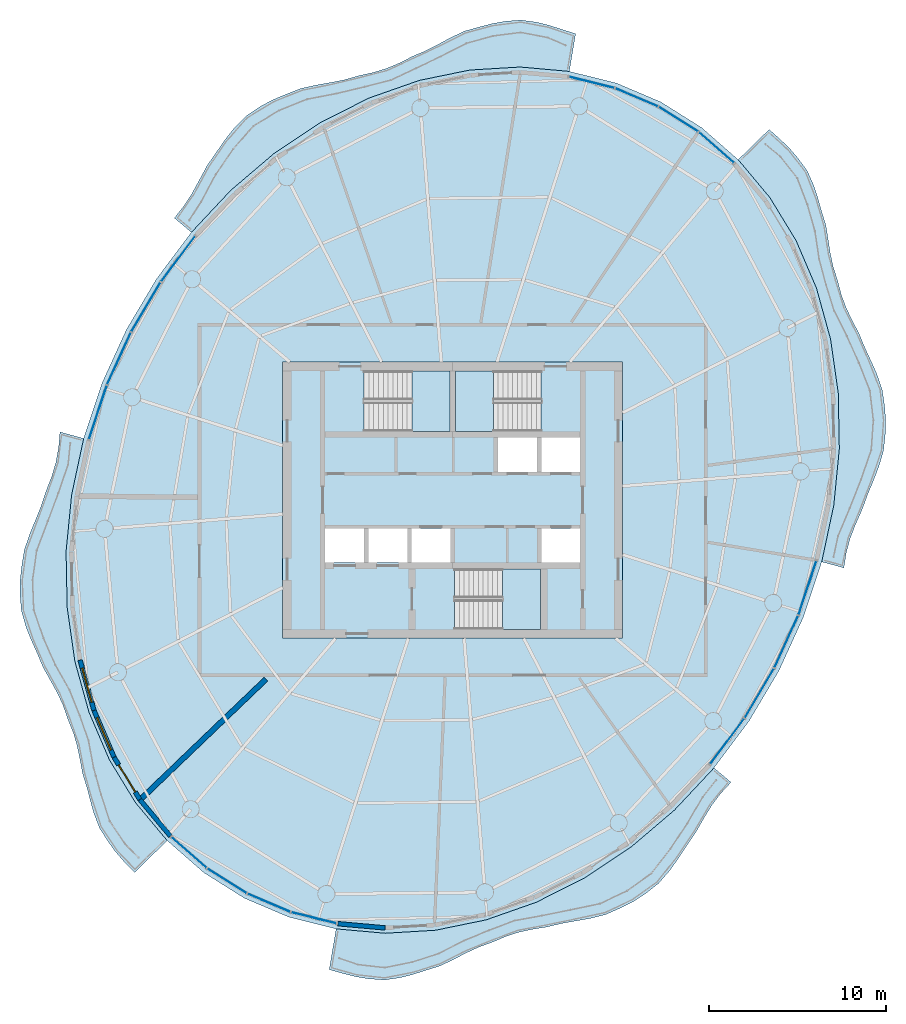
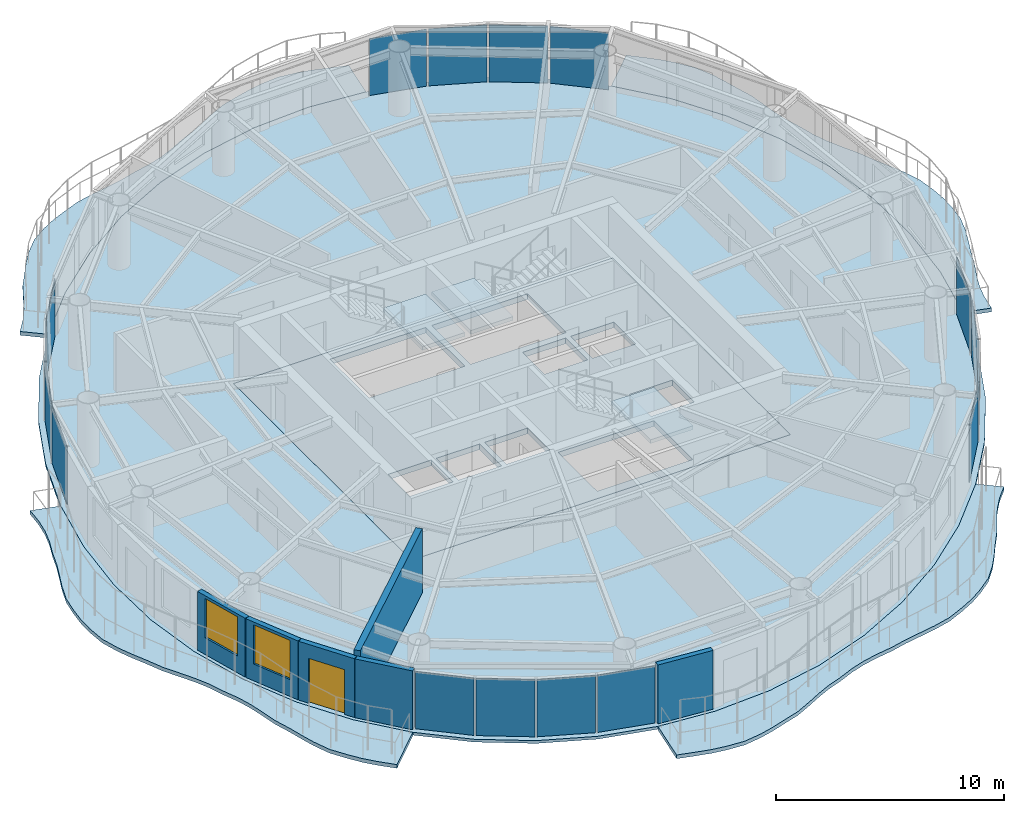
# One storey, part 6 of 13: 16 plates, 9 slabs, 6 walls, 2 windows, 1 door, 3 openings, 19 elements without a shape of their own.
"""IFC4 building model written with IfcOpenShell, lengths in metres."""

from ifc_helpers import new_model, si_unit, direction, frame, frame_2d, origin, origin_2d, place, context, subcontext, project, spatial, polyline, rectangle, outline, extrude, material, layer, layer_set, type_object, element, fill, aggregate, save


model = new_model("IFC4")

# Units and contexts
model_context = context("Model", 3, precision=1e-05, world=origin(), true_north=direction((0.0, 1.0)))
body_context = subcontext(model_context, "Body", "Model", "MODEL_VIEW")
ifc_project = project(units=[si_unit("LENGTHUNIT", "METRE"), si_unit("AREAUNIT", "SQUARE_METRE"), si_unit("VOLUMEUNIT", "CUBIC_METRE"), si_unit("PLANEANGLEUNIT", "RADIAN"), si_unit("MASSUNIT", "GRAM", prefix="KILO")], contexts=[model_context])

# Site, building, storey
site_placement = place(None, origin())
site = spatial("IfcSite", under=ifc_project, at=site_placement, CompositionType="ELEMENT")
building_placement = place(site_placement, origin())
building = spatial("IfcBuilding", under=site, at=building_placement, Name="Vermilion Reach Broadcast Tower", CompositionType="ELEMENT")
storey_placement = place(building_placement, frame((0.0, 0.0, 282.89990234375)))
storey = spatial("IfcBuildingStorey", under=building, at=storey_placement, Name="L70", CompositionType="ELEMENT", Elevation=282.89990234375)

# Slabs
ifc_material_1 = material(Name="Concrete C40/50", Category="concrete")
ifc_layer_1 = layer(ifc_material_1, 0.199951171875)
ifc_layer_set_1 = layer_set([ifc_layer_1], Name="Balcony slab 200")
slab_type_1 = type_object("IfcSlabType", Name="Balcony slab 200", PredefinedType="FLOOR", material=ifc_layer_set_1)
placement_1 = place(storey_placement, frame((0.0, 0.0, -0.199951171875)))
element("IfcSlab", 1, at=placement_1, inside=storey, type_object=slab_type_1, Name="Balcony slab L70 group 1", PredefinedType="FLOOR", context=body_context, shape_type="SweptSolid", body=[
    extrude(outline(polyline([(0.58642578125, 24.21484375), (-2.1904296875, 24.462646484375), (-5.032470703125, 24.291748046875), (-7.89111328125, 23.705322265625), (-10.71728515625, 22.71337890625), (-13.462646484375, 21.33251953125), (-16.08056640625, 19.5869140625), (-18.52587890625, 17.506103515625), (-20.7568359375, 15.125732421875), (-21.72021484375, 15.93408203125), (-21.16943359375, 16.63037109375), (-20.72265625, 17.329345703125), (-20.318603515625, 18.068603515625), (-19.863525390625, 18.909423828125), (-19.3251953125, 19.68408203125), (-18.852294921875, 20.36669921875), (-18.344482421875, 21.0087890625), (-17.672119140625, 21.695556640625), (-16.891845703125, 22.22119140625), (-16.195068359375, 22.59423828125), (-15.45849609375, 22.907470703125), (-14.578857421875, 23.25048828125), (-13.6689453125, 23.452880859375), (-12.87841796875, 23.5908203125), (-12.09765625, 23.748046875), (-11.2578125, 23.985595703125), (-10.4345703125, 24.16845703125), (-9.71826171875, 24.38916015625), (-9.026611328125, 24.6796875), (-8.267822265625, 25.067138671875), (-7.4931640625, 25.39599609375), (-6.819580078125, 25.742431640625), (-6.149169921875, 26.10546875), (-5.3232421875, 26.495361328125), (-4.466064453125, 26.732177734375), (-3.76416015625, 26.916259765625), (-3.05859375, 27.0439453125), (-2.152099609375, 27.118408203125), (-1.264892578125, 26.993896484375), (-0.580078125, 26.8271484375), (0.100341796875, 26.6103515625), (0.943359375, 26.3427734375), (0.58642578125, 24.21484375)])), origin(), (0.0, 0.0, 1.0), 0.199951171875),
])
element("IfcSlab", 2, at=placement_1, inside=storey, type_object=slab_type_1, Name="Balcony slab L70 group 2", PredefinedType="FLOOR", context=body_context, shape_type="SweptSolid", body=[
    extrude(outline(polyline([(-26.84228515625, 3.485107421875), (-27.523681640625, 0.294677734375), (-27.8369140625, -2.90087890625), (-27.7763671875, -6.046875), (-27.34326171875, -9.08935546875), (-26.544921875, -11.97607421875), (-25.39501953125, -14.658203125), (-23.913330078125, -17.08935546875), (-22.125, -19.22802734375), (-23.961181640625, -21.021728515625), (-24.59326171875, -20.38330078125), (-25.050048828125, -19.856689453125), (-25.45751953125, -19.288818359375), (-25.938720703125, -18.541015625), (-26.265869140625, -17.689697265625), (-26.46630859375, -16.978271484375), (-26.652587890625, -16.25830078125), (-26.905517578125, -15.437255859375), (-27.064697265625, -14.580322265625), (-27.217529296875, -13.85205078125), (-27.42529296875, -13.147216796875), (-27.72900390625, -12.3916015625), (-28.0029296875, -11.6025390625), (-28.320068359375, -10.9130859375), (-28.6904296875, -10.23876953125), (-29.127197265625, -9.461181640625), (-29.483154296875, -8.617919921875), (-29.811279296875, -7.888671875), (-30.103759765625, -7.154052734375), (-30.3623046875, -6.2548828125), (-30.43896484375, -5.311279296875), (-30.43115234375, -4.5244140625), (-30.344482421875, -3.73583984375), (-30.19384765625, -2.808349609375), (-29.882568359375, -1.893798828125), (-29.5625, -1.11865234375), (-29.249755859375, -0.3427734375), (-28.96435546875, 0.518310546875), (-28.63818359375, 1.36669921875), (-28.407470703125, 2.1513671875), (-28.261962890625, 2.954345703125), (-28.18310546875, 3.849365234375), (-26.84228515625, 3.485107421875)])), origin(), (0.0, 0.0, 1.0), 0.199951171875),
])
element("IfcSlab", 3, at=placement_1, inside=storey, type_object=slab_type_1, Name="Balcony slab L70 group 3", PredefinedType="FLOOR", context=body_context, shape_type="SweptSolid", body=[
    extrude(outline(polyline([(-12.58642578125, -24.21484375), (-9.8095703125, -24.462646484375), (-6.967529296875, -24.291748046875), (-4.10888671875, -23.705322265625), (-1.28271484375, -22.71337890625), (1.462646484375, -21.33251953125), (4.08056640625, -19.5869140625), (6.52587890625, -17.506103515625), (8.7568359375, -15.125732421875), (9.722412109375, -15.935791015625), (9.121337890625, -16.5849609375), (8.630126953125, -17.24267578125), (8.193359375, -17.951171875), (7.728759765625, -18.76806640625), (7.199462890625, -19.5361328125), (6.7421875, -20.237548828125), (6.263916015625, -20.9140625), (5.63330078125, -21.64404296875), (4.89306640625, -22.22314453125), (4.233154296875, -22.6513671875), (3.52880859375, -23.01318359375), (2.664794921875, -23.398193359375), (1.756103515625, -23.6259765625), (0.96630859375, -23.765625), (0.176513671875, -23.905029296875), (-0.68896484375, -24.111083984375), (-1.5380859375, -24.246826171875), (-2.27490234375, -24.408935546875), (-2.98779296875, -24.638916015625), (-3.759765625, -24.9677734375), (-4.537109375, -25.24853515625), (-5.21728515625, -25.56298828125), (-5.890380859375, -25.912353515625), (-6.701904296875, -26.30517578125), (-7.5439453125, -26.565185546875), (-8.24365234375, -26.789306640625), (-8.94580078125, -26.968994140625), (-9.84765625, -27.102783203125), (-10.739013671875, -27.037841796875), (-11.4287109375, -26.926513671875), (-12.11328125, -26.755859375), (-12.97314453125, -26.52001953125), (-12.58642578125, -24.21484375)])), origin(), (0.0, 0.0, 1.0), 0.199951171875),
])
element("IfcSlab", 4, at=placement_1, inside=storey, type_object=slab_type_1, Name="Balcony slab L70 group 4", PredefinedType="FLOOR", context=body_context, shape_type="SweptSolid", body=[
    extrude(outline(polyline([(14.84228515625, -3.485107421875), (15.523681640625, -0.294677734375), (15.8369140625, 2.90087890625), (15.7763671875, 6.046875), (15.34326171875, 9.08935546875), (14.544921875, 11.97607421875), (13.39501953125, 14.658203125), (11.913330078125, 17.08935546875), (10.125, 19.22802734375), (11.874755859375, 20.93701171875), (12.540771484375, 20.33935546875), (13.04248046875, 19.850341796875), (13.495849609375, 19.321044921875), (14.024169921875, 18.602294921875), (14.39501953125, 17.768310546875), (14.622314453125, 17.0732421875), (14.82080078125, 16.360595703125), (15.076904296875, 15.525634765625), (15.2197265625, 14.646728515625), (15.3349609375, 13.90234375), (15.493408203125, 13.176513671875), (15.741455078125, 12.39599609375), (15.953857421875, 11.5888671875), (16.214599609375, 10.884033203125), (16.53955078125, 10.197021484375), (16.94384765625, 9.423095703125), (17.287353515625, 8.590087890625), (17.626953125, 7.8623046875), (17.951171875, 7.13232421875), (18.25732421875, 6.24658203125), (18.396484375, 5.310546875), (18.4560546875, 4.52490234375), (18.433837890625, 3.737548828125), (18.33740234375, 2.802734375), (18.063232421875, 1.876220703125), (17.759033203125, 1.099365234375), (17.43798828125, 0.324462890625), (17.120849609375, -0.542724609375), (16.742919921875, -1.388916015625), (16.44873046875, -2.16015625), (16.235107421875, -2.948486328125), (16.09228515625, -3.82470703125), (14.84228515625, -3.485107421875)])), origin(), (0.0, 0.0, 1.0), 0.199951171875),
])
ifc_material_2 = material(Name="Concrete C40", Category="concrete")
ifc_layer_2 = layer(ifc_material_2, 0.300048828125)
ifc_layer_set_2 = layer_set([ifc_layer_2], Name="Core floor slab 300 mm Concrete C40")
slab_type_2 = type_object("IfcSlabType", Name="Core floor slab 300 mm Concrete C40", PredefinedType="FLOOR", material=ifc_layer_set_2)
slab_5_placement = place(storey_placement, frame((0.0, 0.0, -0.2998046875)))
element("IfcSlab", 5, at=slab_5_placement, inside=storey, type_object=slab_type_2, Name="L70 core floor", PredefinedType="FLOOR", context=body_context, shape_type="SweptSolid", body=[
    extrude(outline(polyline([(-15.60009765625, -7.800048828125), (3.60009765625, -7.800048828125), (3.60009765625, 7.800048828125), (-15.60009765625, 7.800048828125), (-15.60009765625, -7.800048828125)]), holes=[polyline([(-3.433349609375, 1.60009765625), (-1.24169921875, 1.60009765625), (-1.24169921875, 3.530029296875), (-3.433349609375, 3.530029296875), (-3.433349609375, 1.60009765625)]), polyline([(-0.99169921875, 1.60009765625), (1.199951171875, 1.60009765625), (1.199951171875, 3.530029296875), (-0.99169921875, 3.530029296875), (-0.99169921875, 1.60009765625)]), polyline([(-13.199951171875, -3.530029296875), (-11.00830078125, -3.530029296875), (-11.00830078125, -1.60009765625), (-13.199951171875, -1.60009765625), (-13.199951171875, -3.530029296875)]), polyline([(-10.75830078125, -3.530029296875), (-8.566650390625, -3.530029296875), (-8.566650390625, -1.60009765625), (-10.75830078125, -1.60009765625), (-10.75830078125, -3.530029296875)]), polyline([(-8.316650390625, -3.530029296875), (-6.125, -3.530029296875), (-6.125, -1.60009765625), (-8.316650390625, -1.60009765625), (-8.316650390625, -3.530029296875)]), polyline([(-0.99169921875, -3.530029296875), (1.199951171875, -3.530029296875), (1.199951171875, -1.60009765625), (-0.99169921875, -1.60009765625), (-0.99169921875, -3.530029296875)]), polyline([(-10.999267578125, 3.8798828125), (-6.14990234375, 3.8798828125), (-6.14990234375, 7.300048828125), (-10.999267578125, 7.300048828125), (-10.999267578125, 3.8798828125)]), polyline([(-1.000732421875, 7.300048828125), (-5.85009765625, 7.300048828125), (-5.85009765625, 3.8798828125), (-1.000732421875, 3.8798828125), (-1.000732421875, 7.300048828125)]), polyline([(-5.8994140625, -7.300048828125), (-1.050048828125, -7.300048828125), (-1.050048828125, -3.8798828125), (-5.8994140625, -3.8798828125), (-5.8994140625, -7.300048828125)])]), origin(), (0.0, 0.0, 1.0), 0.2998046875),
])

# Stair, slab
ifc_material_3 = material(Name="Concrete C40", Category="concrete")
stair_type = type_object("IfcStairType", Name="Exit stair RC 22 risers 164 mm", PredefinedType="HALF_TURN_STAIR", material=ifc_material_3)
placement_2 = place(storey_placement, origin())
stair_1 = element("IfcStair", 6, at=placement_2, inside=storey, type_object=stair_type, Name="L70 Exit stair ST1", PredefinedType="HALF_TURN_STAIR")
ifc_material_4 = material(Name="Concrete C40", Category="concrete")
ifc_layer_3 = layer(ifc_material_4, 0.199951171875)
ifc_layer_set_3 = layer_set([ifc_layer_3], Name="Exit stair landing Concrete C40")
slab_type_3 = type_object("IfcSlabType", Name="Exit stair landing Concrete C40", PredefinedType="LANDING", material=ifc_layer_set_3)
placement_3 = place(storey_placement, frame((0.0, 0.0, 1.60009765625)))
slab_6 = element("IfcSlab", 7, at=placement_3, type_object=slab_type_3, Name="ST1 landing 1", PredefinedType="LANDING", context=body_context, shape_type="SweptSolid", body=[
    extrude(outline(polyline([(-8.300048828125, 3.8798828125), (-6.14990234375, 3.8798828125), (-6.14990234375, 7.300048828125), (-8.300048828125, 7.300048828125), (-8.300048828125, 3.8798828125)])), origin(), (0.0, 0.0, 1.0), 0.199951171875),
])
aggregate(stair_1, [slab_6])

stair_2 = element("IfcStair", 8, at=placement_2, inside=storey, type_object=stair_type, Name="L70 Exit stair ST2", PredefinedType="HALF_TURN_STAIR")
slab_7 = element("IfcSlab", 9, at=placement_3, type_object=slab_type_3, Name="ST2 landing 1", PredefinedType="LANDING", context=body_context, shape_type="SweptSolid", body=[
    extrude(outline(polyline([(-3.699951171875, 7.300048828125), (-5.85009765625, 7.300048828125), (-5.85009765625, 3.8798828125), (-3.699951171875, 3.8798828125), (-3.699951171875, 7.300048828125)])), origin(), (0.0, 0.0, 1.0), 0.199951171875),
])
aggregate(stair_2, [slab_7])

stair_3 = element("IfcStair", 10, at=placement_2, inside=storey, type_object=stair_type, Name="L70 Exit stair ST3", PredefinedType="HALF_TURN_STAIR")
slab_8 = element("IfcSlab", 11, at=placement_3, type_object=slab_type_3, Name="ST3 landing 1", PredefinedType="LANDING", context=body_context, shape_type="SweptSolid", body=[
    extrude(outline(polyline([(-3.199951171875, -7.300048828125), (-1.050048828125, -7.300048828125), (-1.050048828125, -3.8798828125), (-3.199951171875, -3.8798828125), (-3.199951171875, -7.300048828125)])), origin(), (0.0, 0.0, 1.0), 0.199951171875),
])
aggregate(stair_3, [slab_8])

# Slab
ifc_material_5 = material(Name="Concrete C40", Category="concrete")
ifc_layer_4 = layer(ifc_material_5, 0.14990234375)
ifc_layer_set_4 = layer_set([ifc_layer_4], Name="Floor slab Concrete C40 composite 150")
slab_type_4 = type_object("IfcSlabType", Name="Floor slab Concrete C40 composite 150", PredefinedType="FLOOR", material=ifc_layer_set_4)
slab_9_placement = place(storey_placement, frame((0.0, 0.0, -0.14990234375)))
element("IfcSlab", 12, at=slab_9_placement, inside=storey, type_object=slab_type_4, Name="Floor slab L70", PredefinedType="FLOOR", context=body_context, shape_type="SweptSolid", body=[
    extrude(outline(polyline([(5.75634765625, 22.48779296875), (3.25048828125, 23.552734375), (0.58642578125, 24.21484375), (-2.1904296875, 24.462646484375), (-5.032470703125, 24.291748046875), (-7.89111328125, 23.705322265625), (-10.71728515625, 22.71337890625), (-13.462646484375, 21.33251953125), (-16.08056640625, 19.5869140625), (-18.52587890625, 17.506103515625), (-20.7568359375, 15.125732421875), (-22.7353515625, 12.486572265625), (-24.427490234375, 9.633544921875), (-25.804443359375, 6.615966796875), (-26.84228515625, 3.485107421875), (-27.523681640625, 0.294677734375), (-27.8369140625, -2.90087890625), (-27.7763671875, -6.046875), (-27.34326171875, -9.08935546875), (-26.544921875, -11.97607421875), (-25.39501953125, -14.658203125), (-23.913330078125, -17.08935546875), (-22.125, -19.22802734375), (-20.06103515625, -21.037841796875), (-17.75634765625, -22.48779296875), (-15.25048828125, -23.552734375), (-12.58642578125, -24.21484375), (-9.8095703125, -24.462646484375), (-6.967529296875, -24.291748046875), (-4.10888671875, -23.705322265625), (-1.28271484375, -22.71337890625), (1.462646484375, -21.33251953125), (4.08056640625, -19.5869140625), (6.52587890625, -17.506103515625), (8.7568359375, -15.125732421875), (10.7353515625, -12.486572265625), (12.427490234375, -9.633544921875), (13.804443359375, -6.615966796875), (14.84228515625, -3.485107421875), (15.523681640625, -0.294677734375), (15.8369140625, 2.90087890625), (15.7763671875, 6.046875), (15.34326171875, 9.08935546875), (14.544921875, 11.97607421875), (13.39501953125, 14.658203125), (11.913330078125, 17.08935546875), (10.125, 19.22802734375), (8.06103515625, 21.037841796875), (5.75634765625, 22.48779296875)]), holes=[polyline([(-15.60009765625, -7.800048828125), (3.60009765625, -7.800048828125), (3.60009765625, 7.800048828125), (-15.60009765625, 7.800048828125), (-15.60009765625, -7.800048828125)])]), origin(), (0.0, 0.0, 1.0), 0.14990234375),
])

# Curtain wall, plate
ifc_material_6 = material(Name="Low-e laminated clear glass in aluminium frame", Category="aluminium")
curtain_wall_type = type_object("IfcCurtainWallType", Name="Slot curtain wall", PredefinedType="NOTDEFINED", material=ifc_material_6)
curtain_wall_1 = element("IfcCurtainWall", 13, at=placement_2, inside=storey, type_object=curtain_wall_type, Name="Slot curtain wall L70 46", PredefinedType="NOTDEFINED")
ifc_material_7 = material(Name="Low-e laminated clear glass", Category="glass")
ifc_layer_5 = layer(ifc_material_7, 0.028076171875)
ifc_layer_set_5 = layer_set([ifc_layer_5], Name="Slot glass panel")
plate_type = type_object("IfcPlateType", Name="Slot glass panel", PredefinedType="CURTAIN_PANEL", material=ifc_layer_set_5)
plate_1_placement = place(storey_placement, frame((8.89599609375, 19.907958984375, 0.0), z_axis=(0.0, 0.0, 1.0), x_axis=(-0.751902163089, 0.659274705371, 0.0)))
plate_1 = element("IfcPlate", 14, at=plate_1_placement, type_object=plate_type, Name="Slot glass panel L70 46", PredefinedType="CURTAIN_PANEL", context=body_context, shape_type="SweptSolid", body=[
    extrude(rectangle(XDim=2.6181640625, YDim=0.028076171875, at=origin_2d()), origin(), (0.0, 0.0, 1.0), 3.050048828125),
])
aggregate(curtain_wall_1, [plate_1])

curtain_wall_2 = element("IfcCurtainWall", 15, at=placement_2, inside=storey, type_object=curtain_wall_type, Name="Slot curtain wall L70 47", PredefinedType="NOTDEFINED")
plate_2_placement = place(storey_placement, frame((6.74951171875, 21.509765625, 0.0), z_axis=(0.0, 0.0, 1.0), x_axis=(-0.846441803537, 0.532481242135, 0.0)))
plate_2 = element("IfcPlate", 16, at=plate_2_placement, type_object=plate_type, Name="Slot glass panel L70 47", PredefinedType="CURTAIN_PANEL", context=body_context, shape_type="SweptSolid", body=[
    extrude(rectangle(XDim=2.594970703125, YDim=0.028076171875, at=origin_2d()), origin(), (0.0, 0.0, 1.0), 3.050048828125),
])
aggregate(curtain_wall_2, [plate_2])

curtain_wall_3 = element("IfcCurtainWall", 17, at=placement_2, inside=storey, type_object=curtain_wall_type, Name="Slot curtain wall L70 00", PredefinedType="NOTDEFINED")
plate_3_placement = place(storey_placement, frame((4.386474609375, 22.7451171875, 0.0), z_axis=(0.0, 0.0, 1.0), x_axis=(-0.920322366397, 0.391160762231, 0.0)))
plate_3 = element("IfcPlate", 18, at=plate_3_placement, type_object=plate_type, Name="Slot glass panel L70 00", PredefinedType="CURTAIN_PANEL", context=body_context, shape_type="SweptSolid", body=[
    extrude(rectangle(XDim=2.594970703125, YDim=0.028076171875, at=origin_2d()), origin(), (0.0, 0.0, 1.0), 3.050048828125),
])
aggregate(curtain_wall_3, [plate_3])

curtain_wall_4 = element("IfcCurtainWall", 19, at=placement_2, inside=storey, type_object=curtain_wall_type, Name="Slot curtain wall L70 01", PredefinedType="NOTDEFINED")
plate_4_placement = place(storey_placement, frame((1.84619140625, 23.59375, 0.0), z_axis=(0.0, 0.0, 1.0), x_axis=(-0.970483660267, 0.241166882375, 0.0)))
plate_4 = element("IfcPlate", 20, at=plate_4_placement, type_object=plate_type, Name="Slot glass panel L70 01", PredefinedType="CURTAIN_PANEL", context=body_context, shape_type="SweptSolid", body=[
    extrude(rectangle(XDim=2.6181640625, YDim=0.028076171875, at=origin_2d()), origin(), (0.0, 0.0, 1.0), 3.050048828125),
])
aggregate(curtain_wall_4, [plate_4])

curtain_wall_5 = element("IfcCurtainWall", 21, at=placement_2, inside=storey, type_object=curtain_wall_type, Name="Slot curtain wall L70 10", PredefinedType="NOTDEFINED")
plate_5_placement = place(storey_placement, frame((-21.50634765625, 13.626220703125, 0.0), z_axis=(0.0, 0.0, 1.0), x_axis=(-0.599827437268, -0.800129392973, 0.0)))
plate_5 = element("IfcPlate", 22, at=plate_5_placement, type_object=plate_type, Name="Slot glass panel L70 10", PredefinedType="CURTAIN_PANEL", context=body_context, shape_type="SweptSolid", body=[
    extrude(rectangle(XDim=3.185791015625, YDim=0.028076171875, at=origin_2d()), origin(), (0.0, 0.0, 1.0), 3.050048828125),
])
aggregate(curtain_wall_5, [plate_5])

curtain_wall_6 = element("IfcCurtainWall", 23, at=placement_2, inside=storey, type_object=curtain_wall_type, Name="Slot curtain wall L70 11", PredefinedType="NOTDEFINED")
plate_6_placement = place(storey_placement, frame((-23.32373046875, 10.9072265625, 0.0), z_axis=(0.0, 0.0, 1.0), x_axis=(-0.510157347217, -0.860081089828, 0.0)))
plate_6 = element("IfcPlate", 24, at=plate_6_placement, type_object=plate_type, Name="Slot glass panel L70 11", PredefinedType="CURTAIN_PANEL", context=body_context, shape_type="SweptSolid", body=[
    extrude(rectangle(XDim=3.20458984375, YDim=0.028076171875, at=origin_2d()), origin(), (0.0, 0.0, 1.0), 3.050048828125),
])
aggregate(curtain_wall_6, [plate_6])

curtain_wall_7 = element("IfcCurtainWall", 25, at=placement_2, inside=storey, type_object=curtain_wall_type, Name="Slot curtain wall L70 12", PredefinedType="NOTDEFINED")
plate_7_placement = place(storey_placement, frame((-24.84326171875, 8.00048828125, 0.0), z_axis=(0.0, 0.0, 1.0), x_axis=(-0.415101351701, -0.909775174324, 0.0)))
plate_7 = element("IfcPlate", 26, at=plate_7_placement, type_object=plate_type, Name="Slot glass panel L70 12", PredefinedType="CURTAIN_PANEL", context=body_context, shape_type="SweptSolid", body=[
    extrude(rectangle(XDim=3.20458984375, YDim=0.028076171875, at=origin_2d()), origin(), (0.0, 0.0, 1.0), 3.050048828125),
])
aggregate(curtain_wall_7, [plate_7])

curtain_wall_8 = element("IfcCurtainWall", 27, at=placement_2, inside=storey, type_object=curtain_wall_type, Name="Slot curtain wall L70 13", PredefinedType="NOTDEFINED")
plate_8_placement = place(storey_placement, frame((-26.0390625, 4.956298828125, 0.0), z_axis=(0.0, 0.0, 1.0), x_axis=(-0.314695965701, -0.949192524819, 0.0)))
plate_8 = element("IfcPlate", 28, at=plate_8_placement, type_object=plate_type, Name="Slot glass panel L70 13", PredefinedType="CURTAIN_PANEL", context=body_context, shape_type="SweptSolid", body=[
    extrude(rectangle(XDim=3.185791015625, YDim=0.028076171875, at=origin_2d()), origin(), (0.0, 0.0, 1.0), 3.050048828125),
])
aggregate(curtain_wall_8, [plate_8])

curtain_wall_9 = element("IfcCurtainWall", 29, at=placement_2, inside=storey, type_object=curtain_wall_type, Name="Slot curtain wall L70 22", PredefinedType="NOTDEFINED")
plate_9_placement = place(storey_placement, frame((-20.89599609375, -19.907958984375, 0.0), z_axis=(0.0, 0.0, 1.0), x_axis=(0.751902163089, -0.659274705371, 0.0)))
plate_9 = element("IfcPlate", 30, at=plate_9_placement, type_object=plate_type, Name="Slot glass panel L70 22", PredefinedType="CURTAIN_PANEL", context=body_context, shape_type="SweptSolid", body=[
    extrude(rectangle(XDim=2.6181640625, YDim=0.028076171875, at=origin_2d()), origin(), (0.0, 0.0, 1.0), 3.050048828125),
])
aggregate(curtain_wall_9, [plate_9])

curtain_wall_10 = element("IfcCurtainWall", 31, at=placement_2, inside=storey, type_object=curtain_wall_type, Name="Slot curtain wall L70 23", PredefinedType="NOTDEFINED")
plate_10_placement = place(storey_placement, frame((-18.74951171875, -21.509765625, 0.0), z_axis=(0.0, 0.0, 1.0), x_axis=(0.846441803537, -0.532481242135, 0.0)))
plate_10 = element("IfcPlate", 32, at=plate_10_placement, type_object=plate_type, Name="Slot glass panel L70 23", PredefinedType="CURTAIN_PANEL", context=body_context, shape_type="SweptSolid", body=[
    extrude(rectangle(XDim=2.594970703125, YDim=0.028076171875, at=origin_2d()), origin(), (0.0, 0.0, 1.0), 3.050048828125),
])
aggregate(curtain_wall_10, [plate_10])

curtain_wall_11 = element("IfcCurtainWall", 33, at=placement_2, inside=storey, type_object=curtain_wall_type, Name="Slot curtain wall L70 24", PredefinedType="NOTDEFINED")
plate_11_placement = place(storey_placement, frame((-16.386474609375, -22.7451171875, 0.0), z_axis=(0.0, 0.0, 1.0), x_axis=(0.920322366397, -0.391160762231, 0.0)))
plate_11 = element("IfcPlate", 34, at=plate_11_placement, type_object=plate_type, Name="Slot glass panel L70 24", PredefinedType="CURTAIN_PANEL", context=body_context, shape_type="SweptSolid", body=[
    extrude(rectangle(XDim=2.594970703125, YDim=0.028076171875, at=origin_2d()), origin(), (0.0, 0.0, 1.0), 3.050048828125),
])
aggregate(curtain_wall_11, [plate_11])

curtain_wall_12 = element("IfcCurtainWall", 35, at=placement_2, inside=storey, type_object=curtain_wall_type, Name="Slot curtain wall L70 25", PredefinedType="NOTDEFINED")
plate_12_placement = place(storey_placement, frame((-13.84619140625, -23.59375, 0.0), z_axis=(0.0, 0.0, 1.0), x_axis=(0.970483660267, -0.241166882375, 0.0)))
plate_12 = element("IfcPlate", 36, at=plate_12_placement, type_object=plate_type, Name="Slot glass panel L70 25", PredefinedType="CURTAIN_PANEL", context=body_context, shape_type="SweptSolid", body=[
    extrude(rectangle(XDim=2.6181640625, YDim=0.028076171875, at=origin_2d()), origin(), (0.0, 0.0, 1.0), 3.050048828125),
])
aggregate(curtain_wall_12, [plate_12])

curtain_wall_13 = element("IfcCurtainWall", 37, at=placement_2, inside=storey, type_object=curtain_wall_type, Name="Slot curtain wall L70 34", PredefinedType="NOTDEFINED")
plate_13_placement = place(storey_placement, frame((9.50634765625, -13.626220703125, 0.0), z_axis=(0.0, 0.0, 1.0), x_axis=(0.599827437268, 0.800129392973, 0.0)))
plate_13 = element("IfcPlate", 38, at=plate_13_placement, type_object=plate_type, Name="Slot glass panel L70 34", PredefinedType="CURTAIN_PANEL", context=body_context, shape_type="SweptSolid", body=[
    extrude(rectangle(XDim=3.185791015625, YDim=0.028076171875, at=origin_2d()), origin(), (0.0, 0.0, 1.0), 3.050048828125),
])
aggregate(curtain_wall_13, [plate_13])

curtain_wall_14 = element("IfcCurtainWall", 39, at=placement_2, inside=storey, type_object=curtain_wall_type, Name="Slot curtain wall L70 35", PredefinedType="NOTDEFINED")
plate_14_placement = place(storey_placement, frame((11.32373046875, -10.9072265625, 0.0), z_axis=(0.0, 0.0, 1.0), x_axis=(0.510157347217, 0.860081089828, 0.0)))
plate_14 = element("IfcPlate", 40, at=plate_14_placement, type_object=plate_type, Name="Slot glass panel L70 35", PredefinedType="CURTAIN_PANEL", context=body_context, shape_type="SweptSolid", body=[
    extrude(rectangle(XDim=3.20458984375, YDim=0.028076171875, at=origin_2d()), origin(), (0.0, 0.0, 1.0), 3.050048828125),
])
aggregate(curtain_wall_14, [plate_14])

curtain_wall_15 = element("IfcCurtainWall", 41, at=placement_2, inside=storey, type_object=curtain_wall_type, Name="Slot curtain wall L70 36", PredefinedType="NOTDEFINED")
plate_15_placement = place(storey_placement, frame((12.84326171875, -8.00048828125, 0.0), z_axis=(0.0, 0.0, 1.0), x_axis=(0.415101351701, 0.909775174324, 0.0)))
plate_15 = element("IfcPlate", 42, at=plate_15_placement, type_object=plate_type, Name="Slot glass panel L70 36", PredefinedType="CURTAIN_PANEL", context=body_context, shape_type="SweptSolid", body=[
    extrude(rectangle(XDim=3.20458984375, YDim=0.028076171875, at=origin_2d()), origin(), (0.0, 0.0, 1.0), 3.050048828125),
])
aggregate(curtain_wall_15, [plate_15])

curtain_wall_16 = element("IfcCurtainWall", 43, at=placement_2, inside=storey, type_object=curtain_wall_type, Name="Slot curtain wall L70 37", PredefinedType="NOTDEFINED")
plate_16_placement = place(storey_placement, frame((14.0390625, -4.956298828125, 0.0), z_axis=(0.0, 0.0, 1.0), x_axis=(0.314695965701, 0.949192524819, 0.0)))
plate_16 = element("IfcPlate", 44, at=plate_16_placement, type_object=plate_type, Name="Slot glass panel L70 37", PredefinedType="CURTAIN_PANEL", context=body_context, shape_type="SweptSolid", body=[
    extrude(rectangle(XDim=3.185791015625, YDim=0.028076171875, at=origin_2d()), origin(), (0.0, 0.0, 1.0), 3.050048828125),
])
aggregate(curtain_wall_16, [plate_16])

# Wall
ifc_material_8 = material(Name="Double-leaf plasterboard on isolated steel stud", Category="steel")
ifc_layer_6 = layer(ifc_material_8, 0.300048828125)
ifc_layer_set_6 = layer_set([ifc_layer_6], Name="Partition 300 acoustic double leaf")
wall_type_1 = type_object("IfcWallType", Name="Partition 300 acoustic double leaf", PredefinedType="PARTITIONING", material=ifc_layer_set_6)
wall_1_placement = place(storey_placement, frame((-23.567626953125, -16.842041015625, 0.0), z_axis=(0.0, 0.0, 1.0), x_axis=(0.721865986277, 0.692032873393, 0.0)))
element("IfcWall", 45, at=wall_1_placement, inside=storey, type_object=wall_type_1, Name="Partition 70.04", PredefinedType="PARTITIONING", context=body_context, shape_type="SweptSolid", body=[
    extrude(rectangle(XDim=9.730224609375, YDim=0.300048828125, at=frame_2d((4.865234375, 0.0))), origin(), (0.0, 0.0, 1.0), 3.4501953125),
])

# Wall, opening, window
ifc_material_9 = material(Name="Terracotta rainscreen cladding", Category="masonry")
ifc_layer_7 = layer(ifc_material_9, 0.25)
ifc_layer_set_7 = layer_set([ifc_layer_7], Name="Terracotta rainscreen wall 250")
wall_type_2 = type_object("IfcWallType", Name="Terracotta rainscreen wall 250", PredefinedType="SOLIDWALL", material=ifc_layer_set_7)
wall_2_placement = place(storey_placement, frame((-27.046142578125, -9.039794921875, 0.0), z_axis=(0.0, 0.0, 1.0), x_axis=(0.266526791612, -0.963827510166, 0.0)))
wall_2 = element("IfcWall", 46, at=wall_2_placement, inside=storey, type_object=wall_type_2, Name="External wall L70 18", PredefinedType="SOLIDWALL", context=body_context, shape_type="SweptSolid", body=[
    extrude(rectangle(XDim=2.93115234375, YDim=0.25, at=frame_2d((1.465576171875, 0.0))), origin(), (0.0, 0.0, 1.0), 3.150146484375),
])
opening_1_placement = place(wall_2_placement, frame((0.465576171875, 0.0, 0.89990234375)))
opening_1 = element("IfcOpeningElement", 47, at=opening_1_placement, cuts=wall_2, Name="Opening W03", PredefinedType="OPENING", context=body_context, shape_type="SweptSolid", body=[
    extrude(rectangle(XDim=2.0, YDim=2.10009765625, at=frame_2d((1.0, 1.050048828125))), frame((0.0, 0.135009765625, 0.0), z_axis=(0.0, -1.0, 0.0), x_axis=(1.0, 0.0, 0.0)), (0.0, 0.0, 1.0), 0.27001953125),
])
ifc_material_10 = material(Name="Low-e laminated clear glass in aluminium frame", Category="aluminium")
window_type = type_object("IfcWindowType", Name="Punched window 2000 x 2100 sill 900", PartitioningType="SINGLE_PANEL", PredefinedType="WINDOW", material=ifc_material_10)
window_1_placement = place(opening_1_placement, origin())
window_1 = element("IfcWindow", 48, at=window_1_placement, inside=storey, type_object=window_type, Name="Window L70 18", OverallHeight=2.10009765625, OverallWidth=2.0, PartitioningType="SINGLE_PANEL", PredefinedType="WINDOW", context=body_context, shape_type="SweptSolid", body=[
    extrude(rectangle(XDim=2.0, YDim=2.10009765625, at=frame_2d((1.0, 1.050048828125))), frame((0.0, 0.030029296875, 0.0), z_axis=(0.0, -1.0, 0.0), x_axis=(1.0, 0.0, 0.0)), (0.0, 0.0, 1.0), 0.06005859375),
])
fill(opening_1, window_1)

wall_3_placement = place(storey_placement, frame((-26.2568359375, -11.888427734375, 0.0), z_axis=(0.0, 0.0, 1.0), x_axis=(0.394043302687, -0.919091875499, 0.0)))
wall_3 = element("IfcWall", 49, at=wall_3_placement, inside=storey, type_object=wall_type_2, Name="External wall L70 19", PredefinedType="SOLIDWALL", context=body_context, shape_type="SweptSolid", body=[
    extrude(rectangle(XDim=2.851318359375, YDim=0.25, at=frame_2d((1.42578125, 0.0))), origin(), (0.0, 0.0, 1.0), 3.150146484375),
])
opening_2_placement = place(wall_3_placement, frame((0.425537109375, 0.0, 0.89990234375)))
opening_2 = element("IfcOpeningElement", 50, at=opening_2_placement, cuts=wall_3, Name="Opening W03", PredefinedType="OPENING", context=body_context, shape_type="SweptSolid", body=[
    extrude(rectangle(XDim=2.0, YDim=2.10009765625, at=frame_2d((1.0, 1.050048828125))), frame((0.0, 0.135009765625, 0.0), z_axis=(0.0, -1.0, 0.0), x_axis=(1.0, 0.0, 0.0)), (0.0, 0.0, 1.0), 0.27001953125),
])
window_2_placement = place(opening_2_placement, origin())
window_2 = element("IfcWindow", 51, at=window_2_placement, inside=storey, type_object=window_type, Name="Window L70 19", OverallHeight=2.10009765625, OverallWidth=2.0, PartitioningType="SINGLE_PANEL", PredefinedType="WINDOW", context=body_context, shape_type="SweptSolid", body=[
    extrude(rectangle(XDim=2.0, YDim=2.10009765625, at=frame_2d((1.0, 1.050048828125))), frame((0.0, 0.030029296875, 0.0), z_axis=(0.0, -1.0, 0.0), x_axis=(1.0, 0.0, 0.0)), (0.0, 0.0, 1.0), 0.06005859375),
])
fill(opening_2, window_2)

# Wall, opening, door
wall_4_placement = place(storey_placement, frame((-25.12158203125, -14.531982421875, 0.0), z_axis=(0.0, 0.0, 1.0), x_axis=(0.520443293114, -0.853896234125, 0.0)))
wall_4 = element("IfcWall", 52, at=wall_4_placement, inside=storey, type_object=wall_type_2, Name="External wall L70 20", PredefinedType="SOLIDWALL", context=body_context, shape_type="SweptSolid", body=[
    extrude(rectangle(XDim=2.777099609375, YDim=0.25, at=frame_2d((1.388671875, 0.0))), origin(), (0.0, 0.0, 1.0), 3.150146484375),
])
opening_3_placement = place(wall_4_placement, frame((0.489013671875, 0.0, 0.0)))
opening_3 = element("IfcOpeningElement", 53, at=opening_3_placement, cuts=wall_4, Name="Opening D70", PredefinedType="OPENING", context=body_context, shape_type="SweptSolid", body=[
    extrude(rectangle(XDim=1.800048828125, YDim=2.39990234375, at=frame_2d((0.89990234375, 1.199951171875))), frame((0.0, 0.135009765625, 0.0), z_axis=(0.0, -1.0, 0.0), x_axis=(1.0, 0.0, 0.0)), (0.0, 0.0, 1.0), 0.27001953125),
])
ifc_material_11 = material(Name="Low-e laminated clear glass in aluminium frame", Category="aluminium")
door_type = type_object("IfcDoorType", Name="Balcony sliding door 1800 x 2400", OperationType="DOUBLE_DOOR_SLIDING", PredefinedType="DOOR", material=ifc_material_11)
door_placement = place(opening_3_placement, origin())
door = element("IfcDoor", 54, at=door_placement, inside=storey, type_object=door_type, Name="Balcony door L70 run 05", OperationType="DOUBLE_DOOR_SLIDING", OverallHeight=2.39990234375, OverallWidth=1.800048828125, PredefinedType="DOOR", context=body_context, shape_type="SweptSolid", body=[
    extrude(rectangle(XDim=1.800048828125, YDim=2.39990234375, at=frame_2d((0.89990234375, 1.199951171875))), frame((0.0, 0.02490234375, 0.0), z_axis=(0.0, -1.0, 0.0), x_axis=(1.0, 0.0, 0.0)), (0.0, 0.0, 1.0), 0.050048828125),
])
fill(opening_3, door)

# Walls
for number, where, z_axis, x_axis, name in (
    (55, (-23.660888671875, -16.925048828125, 0.0), (0.0, 0.0, 1.0), (0.641449708793, -0.767165087246, 0.0), "External wall L70 21"),
    (56, (-12.482177734375, -23.923828125, 0.0), (0.0, 0.0, 1.0), (0.996046653752, -0.088831658488, 0.0), "External wall L70 26"),
):
    element("IfcWall", number, at=place(storey_placement, frame(where, z_axis=z_axis, x_axis=x_axis)), inside=storey, type_object=wall_type_2, Name=name, PredefinedType="SOLIDWALL", context=body_context, shape_type="SweptSolid", body=[
        extrude(rectangle(XDim=2.674072265625, YDim=0.25, at=frame_2d((1.3369140625, 0.0))), origin(), (0.0, 0.0, 1.0), 3.150146484375),
    ])

save(model, "model.ifc")
